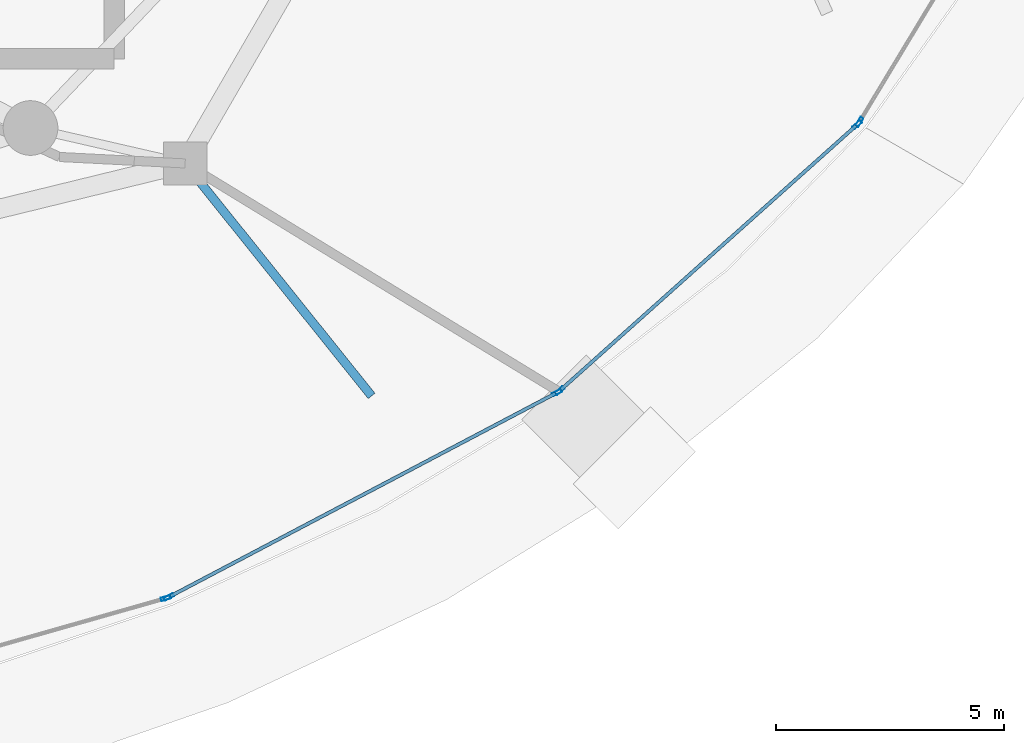
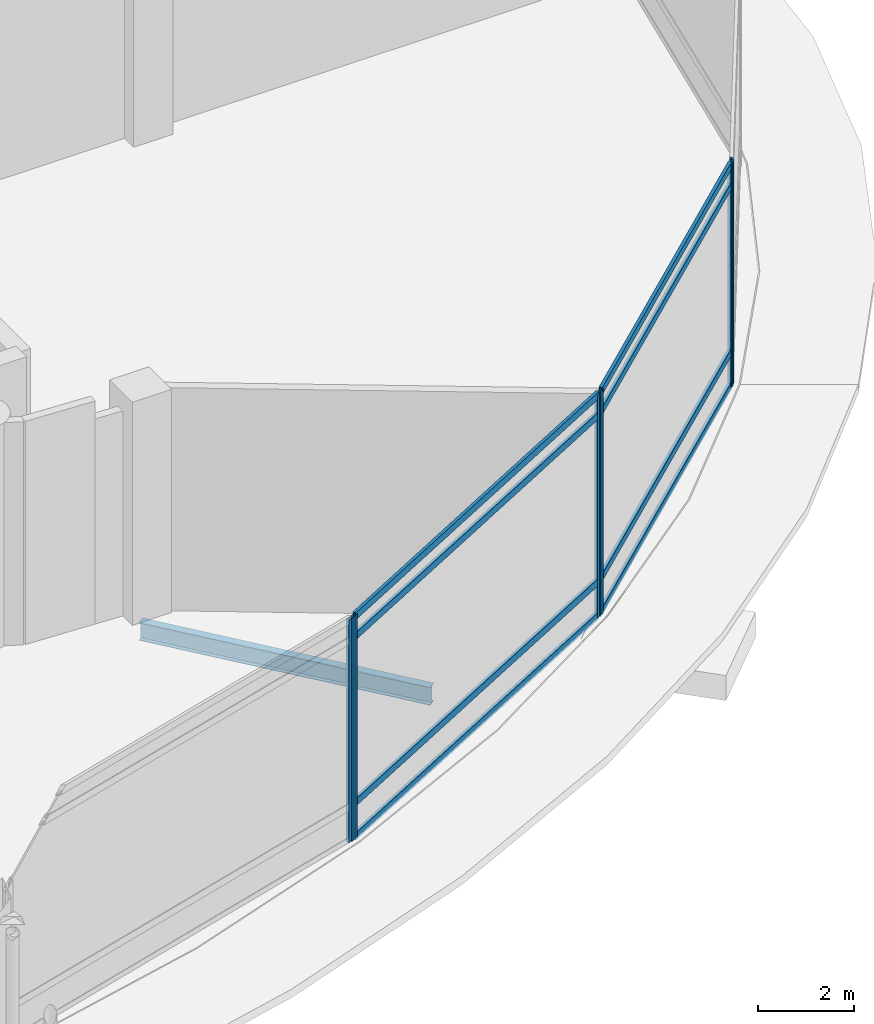
# One storey, part 22 of 40: 14 members, 1 beam, 4 elements without a shape of their own.
"""IFC4 building model written with IfcOpenShell, lengths in metres."""

from ifc_helpers import new_model, si_unit, direction, frame, origin, origin_2d, place, context, subcontext, project, spatial, hollow_rectangle, i_section, extrude, material, layer, layer_set, material_profile, profile_set, type_object, element, aggregate, save


model = new_model("IFC4")

# Units and contexts
model_context = context("Model", 3, precision=1e-05, world=origin(), true_north=direction((0.0, 1.0)))
body_context = subcontext(model_context, "Body", "Model", "MODEL_VIEW")
ifc_project = project(units=[si_unit("LENGTHUNIT", "METRE"), si_unit("AREAUNIT", "SQUARE_METRE"), si_unit("VOLUMEUNIT", "CUBIC_METRE"), si_unit("PLANEANGLEUNIT", "RADIAN"), si_unit("MASSUNIT", "GRAM", prefix="KILO")], contexts=[model_context])

# Site, building, storey
site_placement = place(None, origin())
site = spatial("IfcSite", under=ifc_project, at=site_placement, CompositionType="ELEMENT")
building_placement = place(site_placement, origin())
building = spatial("IfcBuilding", under=site, at=building_placement, Name="Nuhasar Tower", CompositionType="ELEMENT")
storey_placement = place(building_placement, origin())
storey = spatial("IfcBuildingStorey", under=building, at=storey_placement, Name="L00", CompositionType="ELEMENT", Elevation=0.0)

# Beam
ifc_material_1 = material(Name="Steel S355", Category="steel")
ifc_material_profile_1 = material_profile(ifc_material_1, i_section(OverallWidth=0.18994140625, OverallDepth=0.45703125, WebThickness=0.009033203125, FlangeThickness=0.014404296875, at=origin_2d()), Name="W18X50")
ifc_profile_set_1 = profile_set([ifc_material_profile_1], Name="Steel S355")
beam_type = type_object("IfcBeamType", Name="BM-RAD-W18X50", PredefinedType="BEAM", material=ifc_profile_set_1)
beam_placement = place(storey_placement, frame((60.10693359375, 11.702880859375, -0.548095703125), z_axis=(0.625700397975, -0.780063466632, 0.0), x_axis=(0.780063466632, 0.625700397975, 0.0)))
element("IfcBeam", 1, at=beam_placement, inside=storey, type_object=beam_type, Name="L00 Substructure Cap Tie Girder 06", PredefinedType="BEAM", context=body_context, shape_type="SweptSolid", body=[
    extrude(i_section(OverallWidth=0.18994140625, OverallDepth=0.45703125, WebThickness=0.009033203125, FlangeThickness=0.014404296875, at=origin_2d()), origin(), (0.0, 0.0, 1.0), 6.54150390625),
])

# Curtain wall, member
ifc_material_2 = material(Name="Aluminium 6063-T6", Category="aluminium")
ifc_layer = layer(ifc_material_2, 0.219970703125)
ifc_layer_set = layer_set([ifc_layer], Name="Aluminium 6063-T6")
curtain_wall_type = type_object("IfcCurtainWallType", Name="CW-PODIUM", PredefinedType="NOTDEFINED", material=ifc_layer_set)
curtain_wall_1_placement = place(storey_placement, origin())
curtain_wall_1 = element("IfcCurtainWall", 2, at=curtain_wall_1_placement, inside=storey, type_object=curtain_wall_type, Name="L00 Podium Curtain Wall Bay 20", PredefinedType="NOTDEFINED")
ifc_material_profile_2 = material_profile(ifc_material_2, hollow_rectangle(XDim=0.074951171875, YDim=0.219970703125, WallThickness=0.0048828125, at=origin_2d()), Name="CWM-1")
ifc_profile_set_2 = profile_set([ifc_material_profile_2], Name="Aluminium 6063-T6")
member_type_1 = type_object("IfcMemberType", Name="CW-MUL-S1", PredefinedType="MULLION", material=ifc_profile_set_2)
member_1_placement = place(storey_placement, frame((59.683837890625, 2.15966796875, 0.0), z_axis=(0.0, 0.0, 1.0), x_axis=(-0.273411675586, 0.961897112821, 0.0)))
member_1 = element("IfcMember", 3, at=member_1_placement, type_object=member_type_1, Name="CW-P1 mullion 2", PredefinedType="MULLION", context=body_context, shape_type="SweptSolid", body=[
    extrude(hollow_rectangle(XDim=0.074951171875, YDim=0.219970703125, WallThickness=0.0048828125, at=origin_2d()), origin(), (0.0, 0.0, 1.0), 5.699951171875),
])
aggregate(curtain_wall_1, [member_1])

# Curtain wall, members
curtain_wall_2_placement = place(storey_placement, origin())
curtain_wall_2 = element("IfcCurtainWall", 4, at=curtain_wall_2_placement, inside=storey, type_object=curtain_wall_type, Name="L00 Podium Curtain Wall Bay 21", PredefinedType="NOTDEFINED")
member_2_placement = place(storey_placement, frame((59.753173828125, 2.1875, 0.0), z_axis=(0.0, 0.0, 1.0), x_axis=(-0.46595885722, 0.88480638751, 0.0)))
member_2 = element("IfcMember", 5, at=member_2_placement, type_object=member_type_1, Name="CW-P1 mullion 1", PredefinedType="MULLION", context=body_context, shape_type="SweptSolid", body=[
    extrude(hollow_rectangle(XDim=0.074951171875, YDim=0.219970703125, WallThickness=0.0048828125, at=origin_2d()), origin(), (0.0, 0.0, 1.0), 5.699951171875),
])
member_3_placement = place(storey_placement, frame((68.269775390625, 6.672607421875, 0.0), z_axis=(0.0, 0.0, 1.0), x_axis=(-0.46595885722, 0.88480638751, 0.0)))
member_3 = element("IfcMember", 6, at=member_3_placement, type_object=member_type_1, Name="CW-P1 mullion 2", PredefinedType="MULLION", context=body_context, shape_type="SweptSolid", body=[
    extrude(hollow_rectangle(XDim=0.074951171875, YDim=0.219970703125, WallThickness=0.0048828125, at=origin_2d()), origin(), (0.0, 0.0, 1.0), 5.699951171875),
])

curtain_wall_3_placement = place(storey_placement, origin())
curtain_wall_3 = element("IfcCurtainWall", 7, at=curtain_wall_3_placement, inside=storey, type_object=curtain_wall_type, Name="L00 Podium Curtain Wall Bay 22", PredefinedType="NOTDEFINED")
member_4_placement = place(storey_placement, frame((68.3310546875, 6.715087890625, 0.0), z_axis=(0.0, 0.0, 1.0), x_axis=(-0.666679051092, 0.745344915348, 0.0)))
member_4 = element("IfcMember", 8, at=member_4_placement, type_object=member_type_1, Name="CW-P1 mullion 1", PredefinedType="MULLION", context=body_context, shape_type="SweptSolid", body=[
    extrude(hollow_rectangle(XDim=0.074951171875, YDim=0.219970703125, WallThickness=0.0048828125, at=origin_2d()), origin(), (0.0, 0.0, 1.0), 5.699951171875),
])
member_5_placement = place(storey_placement, frame((74.860107421875, 12.554931640625, 0.0), z_axis=(0.0, 0.0, 1.0), x_axis=(-0.666679051092, 0.745344915348, 0.0)))
member_5 = element("IfcMember", 9, at=member_5_placement, type_object=member_type_1, Name="CW-P1 mullion 2", PredefinedType="MULLION", context=body_context, shape_type="SweptSolid", body=[
    extrude(hollow_rectangle(XDim=0.074951171875, YDim=0.219970703125, WallThickness=0.0048828125, at=origin_2d()), origin(), (0.0, 0.0, 1.0), 5.699951171875),
])

# Curtain wall, member
curtain_wall_4_placement = place(storey_placement, origin())
curtain_wall_4 = element("IfcCurtainWall", 10, at=curtain_wall_4_placement, inside=storey, type_object=curtain_wall_type, Name="L00 Podium Curtain Wall Bay 23", PredefinedType="NOTDEFINED")
member_6_placement = place(storey_placement, frame((74.907470703125, 12.612060546875, 0.0), z_axis=(0.0, 0.0, 1.0), x_axis=(-0.856135297317, 0.516751732158, 0.0)))
member_6 = element("IfcMember", 11, at=member_6_placement, type_object=member_type_1, Name="CW-P1 mullion 1", PredefinedType="MULLION", context=body_context, shape_type="SweptSolid", body=[
    extrude(hollow_rectangle(XDim=0.074951171875, YDim=0.219970703125, WallThickness=0.0048828125, at=origin_2d()), origin(), (0.0, 0.0, 1.0), 5.699951171875),
])
aggregate(curtain_wall_4, [member_6])

# Member
ifc_material_profile_3 = material_profile(ifc_material_2, hollow_rectangle(XDim=0.074951171875, YDim=0.179931640625, WallThickness=0.00439453125, at=origin_2d()), Name="CWT-1")
ifc_profile_set_3 = profile_set([ifc_material_profile_3], Name="Aluminium 6063-T6")
member_type_2 = type_object("IfcMemberType", Name="CW-TRN-S1", PredefinedType="USERDEFINED", material=ifc_profile_set_3)
member_7_placement = place(storey_placement, frame((59.786376953125, 2.204833984375, 0.03759765625), z_axis=(0.884800635793, 0.465969778956, 0.0), x_axis=(-0.465969778956, 0.884800635793, 0.0)))
member_7 = element("IfcMember", 12, at=member_7_placement, type_object=member_type_2, Name="CW-P1 transom 1.1", ObjectType="TRANSOM", PredefinedType="USERDEFINED", context=body_context, shape_type="SweptSolid", body=[
    extrude(hollow_rectangle(XDim=0.074951171875, YDim=0.179931640625, WallThickness=0.00439453125, at=origin_2d()), origin(), (0.0, 0.0, 1.0), 9.55029296875),
])

member_8_placement = place(storey_placement, frame((59.786376953125, 2.204833984375, 0.89990234375), z_axis=(0.884800635793, 0.465969778956, 0.0), x_axis=(-0.465969778956, 0.884800635793, 0.0)))
member_8 = element("IfcMember", 13, at=member_8_placement, type_object=member_type_2, Name="CW-P1 transom 1.2", ObjectType="TRANSOM", PredefinedType="USERDEFINED", context=body_context, shape_type="SweptSolid", body=[
    extrude(hollow_rectangle(XDim=0.074951171875, YDim=0.179931640625, WallThickness=0.00439453125, at=origin_2d()), origin(), (0.0, 0.0, 1.0), 9.55029296875),
])

member_9_placement = place(storey_placement, frame((59.786376953125, 2.204833984375, 5.14990234375), z_axis=(0.884800635793, 0.465969778956, 0.0), x_axis=(-0.465969778956, 0.884800635793, 0.0)))
member_9 = element("IfcMember", 14, at=member_9_placement, type_object=member_type_2, Name="CW-P1 transom 1.3", ObjectType="TRANSOM", PredefinedType="USERDEFINED", context=body_context, shape_type="SweptSolid", body=[
    extrude(hollow_rectangle(XDim=0.074951171875, YDim=0.179931640625, WallThickness=0.00439453125, at=origin_2d()), origin(), (0.0, 0.0, 1.0), 9.55029296875),
])

member_10_placement = place(storey_placement, frame((59.786376953125, 2.204833984375, 5.66259765625), z_axis=(0.884800635793, 0.465969778956, 0.0), x_axis=(-0.465969778956, 0.884800635793, 0.0)))
member_10 = element("IfcMember", 15, at=member_10_placement, type_object=member_type_2, Name="CW-P1 transom 1.4", ObjectType="TRANSOM", PredefinedType="USERDEFINED", context=body_context, shape_type="SweptSolid", body=[
    extrude(hollow_rectangle(XDim=0.074951171875, YDim=0.179931640625, WallThickness=0.00439453125, at=origin_2d()), origin(), (0.0, 0.0, 1.0), 9.55029296875),
])

aggregate(curtain_wall_2, [member_2, member_3, member_7, member_8, member_9, member_10])

member_11_placement = place(storey_placement, frame((68.35888671875, 6.739990234375, 0.03759765625), z_axis=(0.745339824264, 0.666684742862, 0.0), x_axis=(-0.666684742862, 0.745339824264, 0.0)))
member_11 = element("IfcMember", 16, at=member_11_placement, type_object=member_type_2, Name="CW-P1 transom 1.1", ObjectType="TRANSOM", PredefinedType="USERDEFINED", context=body_context, shape_type="SweptSolid", body=[
    extrude(hollow_rectangle(XDim=0.074951171875, YDim=0.179931640625, WallThickness=0.00439453125, at=origin_2d()), origin(), (0.0, 0.0, 1.0), 8.684814453125),
])

member_12_placement = place(storey_placement, frame((68.35888671875, 6.739990234375, 0.89990234375), z_axis=(0.745339824264, 0.666684742862, 0.0), x_axis=(-0.666684742862, 0.745339824264, 0.0)))
member_12 = element("IfcMember", 17, at=member_12_placement, type_object=member_type_2, Name="CW-P1 transom 1.2", ObjectType="TRANSOM", PredefinedType="USERDEFINED", context=body_context, shape_type="SweptSolid", body=[
    extrude(hollow_rectangle(XDim=0.074951171875, YDim=0.179931640625, WallThickness=0.00439453125, at=origin_2d()), origin(), (0.0, 0.0, 1.0), 8.684814453125),
])

member_13_placement = place(storey_placement, frame((68.35888671875, 6.739990234375, 5.14990234375), z_axis=(0.745339824264, 0.666684742862, 0.0), x_axis=(-0.666684742862, 0.745339824264, 0.0)))
member_13 = element("IfcMember", 18, at=member_13_placement, type_object=member_type_2, Name="CW-P1 transom 1.3", ObjectType="TRANSOM", PredefinedType="USERDEFINED", context=body_context, shape_type="SweptSolid", body=[
    extrude(hollow_rectangle(XDim=0.074951171875, YDim=0.179931640625, WallThickness=0.00439453125, at=origin_2d()), origin(), (0.0, 0.0, 1.0), 8.684814453125),
])

member_14_placement = place(storey_placement, frame((68.35888671875, 6.739990234375, 5.66259765625), z_axis=(0.745339824264, 0.666684742862, 0.0), x_axis=(-0.666684742862, 0.745339824264, 0.0)))
member_14 = element("IfcMember", 19, at=member_14_placement, type_object=member_type_2, Name="CW-P1 transom 1.4", ObjectType="TRANSOM", PredefinedType="USERDEFINED", context=body_context, shape_type="SweptSolid", body=[
    extrude(hollow_rectangle(XDim=0.074951171875, YDim=0.179931640625, WallThickness=0.00439453125, at=origin_2d()), origin(), (0.0, 0.0, 1.0), 8.684814453125),
])

aggregate(curtain_wall_3, [member_4, member_5, member_11, member_12, member_13, member_14])

save(model, "model.ifc")
